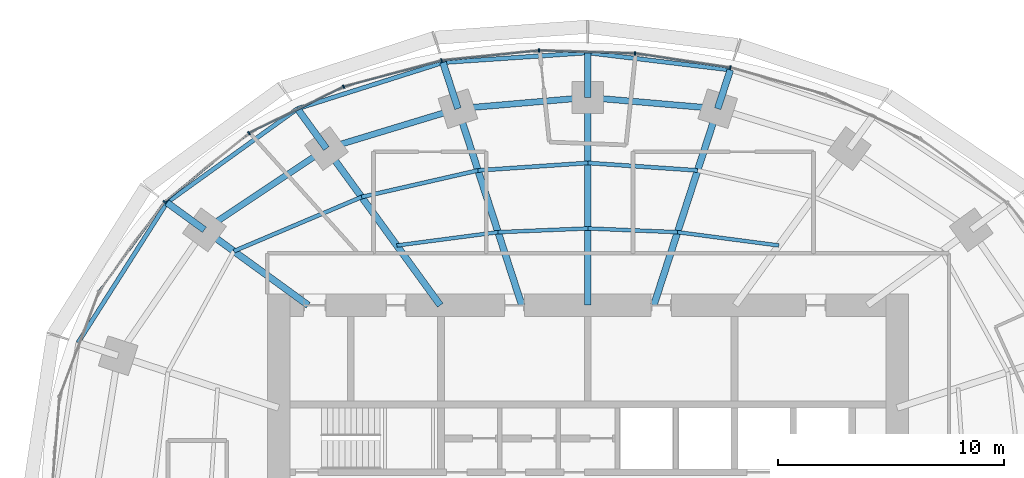
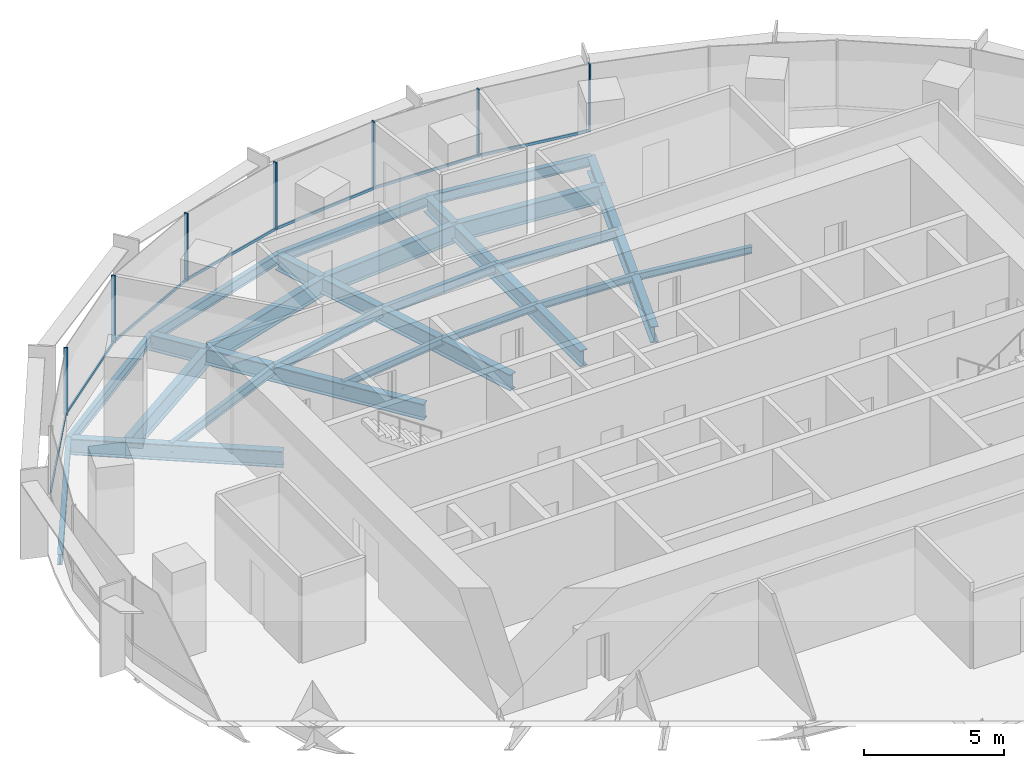
# One storey, part 7 of 15: 27 beams, 14 members, 2 elements without a shape of their own.
"""IFC4 building model written with IfcOpenShell, lengths in metres."""

from ifc_helpers import new_model, si_unit, direction, frame, origin, origin_2d, place, context, subcontext, project, spatial, rectangle, i_section, extrude, material, material_profile, profile_set, type_object, element, aggregate, save


model = new_model("IFC4")

# Units and contexts
model_context = context("Model", 3, precision=1e-05, world=origin(), true_north=direction((0.0, 1.0)))
body_context = subcontext(model_context, "Body", "Model", "MODEL_VIEW")
ifc_project = project(units=[si_unit("LENGTHUNIT", "METRE"), si_unit("AREAUNIT", "SQUARE_METRE"), si_unit("VOLUMEUNIT", "CUBIC_METRE"), si_unit("PLANEANGLEUNIT", "RADIAN"), si_unit("MASSUNIT", "GRAM", prefix="KILO")], contexts=[model_context])

# Site, building, storey
site_placement = place(None, origin())
site = spatial("IfcSite", under=ifc_project, at=site_placement, CompositionType="ELEMENT")
building_placement = place(site_placement, origin())
building = spatial("IfcBuilding", under=site, at=building_placement, Name="Marramba Exchange Tower", CompositionType="ELEMENT")
storey_placement = place(building_placement, frame((0.0, 0.0, 207.199951171875)))
storey = spatial("IfcBuildingStorey", under=building, at=storey_placement, Name="L50", CompositionType="ELEMENT", Elevation=207.199951171875)

# Beams
ifc_material_1 = material(Name="Steel AS/NZS 3679.2 grade 300", Category="steel")
ifc_material_profile_1 = material_profile(ifc_material_1, i_section(OverallWidth=0.300048828125, OverallDepth=0.699951171875, WebThickness=0.010009765625, FlangeThickness=0.031982421875, at=origin_2d()), Name="700WB173")
ifc_profile_set_1 = profile_set([ifc_material_profile_1], Name="Steel AS/NZS 3679.2 grade 300")
beam_type_1 = type_object("IfcBeamType", Name="Cantilever girder 700WB173", PredefinedType="BEAM", material=ifc_profile_set_1)
beam_1_placement = place(storey_placement, frame((5.75390625, 17.70849609375, -0.510009765625), z_axis=(0.308960771946, 0.951074782232, 0.0), x_axis=(-0.951074782232, 0.308960771946, 0.0)))
element("IfcBeam", 1, at=beam_1_placement, inside=storey, type_object=beam_type_1, Name="Cantilever girder L50 TC05", PredefinedType="BEAM", context=body_context, shape_type="SweptSolid", body=[
    extrude(i_section(OverallWidth=0.300048828125, OverallDepth=0.699951171875, WebThickness=0.010009765625, FlangeThickness=0.031982421875, at=origin_2d()), origin(), (0.0, 0.0, 1.0), 1.806396484375),
])
beam_2_placement = place(storey_placement, frame((0.0, 18.2041015625, -0.510009765625), z_axis=(0.0, 1.0, 0.0), x_axis=(-1.0, 0.0, 0.0)))
element("IfcBeam", 2, at=beam_2_placement, inside=storey, type_object=beam_type_1, Name="Cantilever girder L50 TC06", PredefinedType="BEAM", context=body_context, shape_type="SweptSolid", body=[
    extrude(i_section(OverallWidth=0.300048828125, OverallDepth=0.699951171875, WebThickness=0.010009765625, FlangeThickness=0.031982421875, at=origin_2d()), origin(), (0.0, 0.0, 1.0), 1.982177734375),
])
beam_3_placement = place(storey_placement, frame((-5.75390625, 17.70849609375, -0.510009765625), z_axis=(-0.308998798068, 0.951062428441, 0.0), x_axis=(-0.951062428441, -0.308998798068, 0.0)))
element("IfcBeam", 3, at=beam_3_placement, inside=storey, type_object=beam_type_1, Name="Cantilever girder L50 TC07", PredefinedType="BEAM", context=body_context, shape_type="SweptSolid", body=[
    extrude(i_section(OverallWidth=0.300048828125, OverallDepth=0.699951171875, WebThickness=0.010009765625, FlangeThickness=0.031982421875, at=origin_2d()), origin(), (0.0, 0.0, 1.0), 2.150634765625),
])
beam_4_placement = place(storey_placement, frame((-11.581298828125, 15.9404296875, -0.510009765625), z_axis=(-0.587832433352, 0.808982713226, 0.0), x_axis=(-0.808982713226, -0.587832433352, 0.0)))
element("IfcBeam", 4, at=beam_4_placement, inside=storey, type_object=beam_type_1, Name="Cantilever girder L50 TC08", PredefinedType="BEAM", context=body_context, shape_type="SweptSolid", body=[
    extrude(i_section(OverallWidth=0.300048828125, OverallDepth=0.699951171875, WebThickness=0.010009765625, FlangeThickness=0.031982421875, at=origin_2d()), origin(), (0.0, 0.0, 1.0), 2.1826171875),
])
beam_5_placement = place(storey_placement, frame((-16.98583984375, 12.3408203125, -0.510009765625), z_axis=(-0.808962446125, 0.587860324192, 0.0), x_axis=(-0.587860324192, -0.808962446125, 0.0)))
element("IfcBeam", 5, at=beam_5_placement, inside=storey, type_object=beam_type_1, Name="Cantilever girder L50 TC09", PredefinedType="BEAM", context=body_context, shape_type="SweptSolid", body=[
    extrude(i_section(OverallWidth=0.300048828125, OverallDepth=0.699951171875, WebThickness=0.010009765625, FlangeThickness=0.031982421875, at=origin_2d()), origin(), (0.0, 0.0, 1.0), 2.051513671875),
])
ifc_material_2 = material(Name="Steel AS/NZS 3679.1 grade 300", Category="steel")
ifc_material_profile_2 = material_profile(ifc_material_2, i_section(OverallWidth=0.166015625, OverallDepth=0.306884765625, WebThickness=0.006591796875, FlangeThickness=0.01171875, FilletRadius=0.011474609375, at=origin_2d()), Name="310UB46.2")
ifc_profile_set_2 = profile_set([ifc_material_profile_2], Name="Steel AS/NZS 3679.1 grade 300")
beam_type_2 = type_object("IfcBeamType", Name="Floor joist 310UB46.2", PredefinedType="JOIST", material=ifc_profile_set_2)
beam_6_placement = place(storey_placement, frame((8.4619140625, 11.646728515625, -0.3134765625), z_axis=(-0.991480538255, 0.130254912618, 0.0), x_axis=(-0.130254912618, -0.991480538255, 0.0)))
element("IfcBeam", 6, at=beam_6_placement, inside=storey, type_object=beam_type_2, Name="Joist L50 bay 04 row 1", PredefinedType="JOIST", context=body_context, shape_type="SweptSolid", body=[
    extrude(i_section(OverallWidth=0.166015625, OverallDepth=0.306884765625, WebThickness=0.006591796875, FlangeThickness=0.01171875, FilletRadius=0.011474609375, at=origin_2d()), origin(), (0.0, 0.0, 1.0), 4.524658203125),
])
for number, where, z_axis, x_axis, name in (
    (7, (3.975830078125, 12.236083984375, -0.3134765625), (-0.999137002892, 0.041536122257, 0.0), (-0.041536122257, -0.999137002892, 0.0), "Joist L50 bay 05 row 1"),
    (8, (0.0, 12.4013671875, -0.3134765625), (-0.999137002892, -0.041536122257, 0.0), (0.041536122257, -0.999137002892, 0.0), "Joist L50 bay 06 row 1"),
):
    element("IfcBeam", number, at=place(storey_placement, frame(where, z_axis=z_axis, x_axis=x_axis)), inside=storey, type_object=beam_type_2, Name=name, PredefinedType="JOIST", context=body_context, shape_type="SweptSolid", body=[
        extrude(i_section(OverallWidth=0.166015625, OverallDepth=0.306884765625, WebThickness=0.006591796875, FlangeThickness=0.01171875, FilletRadius=0.011474609375, at=origin_2d()), origin(), (0.0, 0.0, 1.0), 3.979248046875),
    ])
beam_7_placement = place(storey_placement, frame((-3.975830078125, 12.236083984375, -0.3134765625), z_axis=(-0.991480538255, -0.130254912618, 0.0), x_axis=(0.130254912618, -0.991480538255, 0.0)))
element("IfcBeam", 9, at=beam_7_placement, inside=storey, type_object=beam_type_2, Name="Joist L50 bay 07 row 1", PredefinedType="JOIST", context=body_context, shape_type="SweptSolid", body=[
    extrude(i_section(OverallWidth=0.166015625, OverallDepth=0.306884765625, WebThickness=0.006591796875, FlangeThickness=0.01171875, FilletRadius=0.011474609375, at=origin_2d()), origin(), (0.0, 0.0, 1.0), 4.524658203125),
])
ifc_material_profile_3 = material_profile(ifc_material_2, i_section(OverallWidth=0.177978515625, OverallDepth=0.406005859375, WebThickness=0.0078125, FlangeThickness=0.0126953125, FilletRadius=0.011474609375, at=origin_2d()), Name="410UB59.7")
ifc_profile_set_3 = profile_set([ifc_material_profile_3], Name="Steel AS/NZS 3679.1 grade 300")
beam_type_3 = type_object("IfcBeamType", Name="Floor joist 410UB59.7", PredefinedType="JOIST", material=ifc_profile_set_3)
for number, where, z_axis, x_axis, name in (
    (10, (4.86474609375, 14.972412109375, -0.363037109375), (-0.997702652202, 0.067745241816, 0.0), (-0.067745241816, -0.997702652202, 0.0), "Joist L50 bay 05 row 2"),
    (11, (0.0, 15.302734375, -0.363037109375), (-0.997702652202, -0.067745241816, 0.0), (0.067745241816, -0.997702652202, 0.0), "Joist L50 bay 06 row 2"),
):
    element("IfcBeam", number, at=place(storey_placement, frame(where, z_axis=z_axis, x_axis=x_axis)), inside=storey, type_object=beam_type_3, Name=name, PredefinedType="JOIST", context=body_context, shape_type="SweptSolid", body=[
        extrude(i_section(OverallWidth=0.177978515625, OverallDepth=0.406005859375, WebThickness=0.0078125, FlangeThickness=0.0126953125, FilletRadius=0.011474609375, at=origin_2d()), origin(), (0.0, 0.0, 1.0), 4.8759765625),
    ])
beam_8_placement = place(storey_placement, frame((-4.86474609375, 14.972412109375, -0.363037109375), z_axis=(-0.974859652292, -0.222819788916, 0.0), x_axis=(0.222819788916, -0.974859652292, 0.0)))
element("IfcBeam", 12, at=beam_8_placement, inside=storey, type_object=beam_type_3, Name="Joist L50 bay 07 row 2", PredefinedType="JOIST", context=body_context, shape_type="SweptSolid", body=[
    extrude(i_section(OverallWidth=0.177978515625, OverallDepth=0.406005859375, WebThickness=0.0078125, FlangeThickness=0.0126953125, FilletRadius=0.011474609375, at=origin_2d()), origin(), (0.0, 0.0, 1.0), 5.2900390625),
])
beam_9_placement = place(storey_placement, frame((-10.021728515625, 13.793701171875, -0.363037109375), z_axis=(-0.920674336375, -0.390331610738, 0.0), x_axis=(0.390331610738, -0.920674336375, 0.0)))
element("IfcBeam", 13, at=beam_9_placement, inside=storey, type_object=beam_type_3, Name="Joist L50 bay 08 row 2", PredefinedType="JOIST", context=body_context, shape_type="SweptSolid", body=[
    extrude(i_section(OverallWidth=0.177978515625, OverallDepth=0.406005859375, WebThickness=0.0078125, FlangeThickness=0.0126953125, FilletRadius=0.011474609375, at=origin_2d()), origin(), (0.0, 0.0, 1.0), 6.1484375),
])

# Curtain wall, members
ifc_material_3 = material(Name="Aluminium framing, bronze anodised", Category="aluminium")
curtain_wall_type = type_object("IfcCurtainWallType", Name="Office ribbon curtain wall", PredefinedType="USERDEFINED", material=ifc_material_3)
curtain_wall_1_placement = place(storey_placement, origin())
curtain_wall_1 = element("IfcCurtainWall", 14, at=curtain_wall_1_placement, inside=storey, type_object=curtain_wall_type, Name="Curtain wall CW4 L50 F06-F10", ObjectType="RIBBON CURTAIN WALL", PredefinedType="USERDEFINED")
ifc_material_4 = material(Name="Aluminium mullion, bronze anodised", Category="aluminium")
ifc_material_profile_4 = material_profile(ifc_material_4, rectangle(XDim=0.159912109375, YDim=0.06005859375, at=origin_2d()), Name="CW4 mullion 60x160")
ifc_profile_set_4 = profile_set([ifc_material_profile_4], Name="Aluminium mullion, bronze anodised")
member_type_1 = type_object("IfcMemberType", Name="Office ribbon curtain wall mullion", PredefinedType="MULLION", material=ifc_profile_set_4)
member_1_placement = place(storey_placement, frame((6.313232421875, 19.526123046875, 0.800048828125), z_axis=(0.0, 0.0, 1.0), x_axis=(-0.148794988635, -0.988868065698, 0.0)))
member_1 = element("IfcMember", 15, at=member_1_placement, type_object=member_type_1, Name="CW4 mullion 1", PredefinedType="MULLION", context=body_context, shape_type="SweptSolid", body=[
    extrude(rectangle(XDim=0.159912109375, YDim=0.06005859375, at=origin_2d()), origin(), (0.0, 0.0, 1.0), 2.93994140625),
])
member_2_placement = place(storey_placement, frame((2.088623046875, 20.158203125, 0.800048828125), z_axis=(0.0, 0.0, 1.0), x_axis=(-0.03039385249, -0.999538000143, 0.0)))
member_2 = element("IfcMember", 16, at=member_2_placement, type_object=member_type_1, Name="CW4 mullion 1", PredefinedType="MULLION", context=body_context, shape_type="SweptSolid", body=[
    extrude(rectangle(XDim=0.159912109375, YDim=0.06005859375, at=origin_2d()), origin(), (0.0, 0.0, 1.0), 2.93994140625),
])
member_3_placement = place(storey_placement, frame((-2.162109375, 20.28369140625, 0.800048828125), z_axis=(0.0, 0.0, 1.0), x_axis=(0.100862673507, -0.994900357369, 0.0)))
member_3 = element("IfcMember", 17, at=member_3_placement, type_object=member_type_1, Name="CW4 mullion 1", PredefinedType="MULLION", context=body_context, shape_type="SweptSolid", body=[
    extrude(rectangle(XDim=0.159912109375, YDim=0.06005859375, at=origin_2d()), origin(), (0.0, 0.0, 1.0), 2.93994140625),
])
member_4_placement = place(storey_placement, frame((-6.478271484375, 19.84130859375, 0.800048828125), z_axis=(0.0, 0.0, 1.0), x_axis=(0.257641223778, -0.966240653155, 0.0)))
member_4 = element("IfcMember", 18, at=member_4_placement, type_object=member_type_1, Name="CW4 mullion 1", PredefinedType="MULLION", context=body_context, shape_type="SweptSolid", body=[
    extrude(rectangle(XDim=0.159912109375, YDim=0.06005859375, at=origin_2d()), origin(), (0.0, 0.0, 1.0), 2.93994140625),
])

curtain_wall_2_placement = place(storey_placement, origin())
curtain_wall_2 = element("IfcCurtainWall", 19, at=curtain_wall_2_placement, inside=storey, type_object=curtain_wall_type, Name="Curtain wall CW4 L50 F11-F15", ObjectType="RIBBON CURTAIN WALL", PredefinedType="USERDEFINED")
member_5_placement = place(storey_placement, frame((-10.818359375, 18.677978515625, 0.800048828125), z_axis=(0.0, 0.0, 1.0), x_axis=(0.438972456661, -0.898500518805, 0.0)))
member_5 = element("IfcMember", 20, at=member_5_placement, type_object=member_type_1, Name="CW4 mullion 1", PredefinedType="MULLION", context=body_context, shape_type="SweptSolid", body=[
    extrude(rectangle(XDim=0.159912109375, YDim=0.06005859375, at=origin_2d()), origin(), (0.0, 0.0, 1.0), 2.93994140625),
])
member_6_placement = place(storey_placement, frame((-15.008056640625, 16.62353515625, 0.800048828125), z_axis=(0.0, 0.0, 1.0), x_axis=(0.630200830464, -0.776432169145, 0.0)))
member_6 = element("IfcMember", 21, at=member_6_placement, type_object=member_type_1, Name="CW4 mullion 1", PredefinedType="MULLION", context=body_context, shape_type="SweptSolid", body=[
    extrude(rectangle(XDim=0.159912109375, YDim=0.06005859375, at=origin_2d()), origin(), (0.0, 0.0, 1.0), 2.93994140625),
])
member_7_placement = place(storey_placement, frame((-18.744140625, 13.581298828125, 0.800048828125), z_axis=(0.0, 0.0, 1.0), x_axis=(0.805965197024, -0.591962922138, 0.0)))
member_7 = element("IfcMember", 22, at=member_7_placement, type_object=member_type_1, Name="CW4 mullion 1", PredefinedType="MULLION", context=body_context, shape_type="SweptSolid", body=[
    extrude(rectangle(XDim=0.159912109375, YDim=0.06005859375, at=origin_2d()), origin(), (0.0, 0.0, 1.0), 2.93994140625),
])

# Member
ifc_material_5 = material(Name="Aluminium transom, bronze anodised", Category="aluminium")
ifc_material_profile_5 = material_profile(ifc_material_5, rectangle(XDim=0.06005859375, YDim=0.1201171875, at=origin_2d()), Name="CW4 transom 60x120")
ifc_profile_set_5 = profile_set([ifc_material_profile_5], Name="Aluminium transom, bronze anodised")
member_type_2 = type_object("IfcMemberType", Name="Office ribbon curtain wall transom", PredefinedType="USERDEFINED", material=ifc_profile_set_5)
member_8_placement = place(storey_placement, frame((6.28369140625, 19.53076171875, 0.830078125), z_axis=(-0.988868222508, 0.148793946493, 0.0), x_axis=(-0.148793946493, -0.988868222508, 0.0)))
member_8 = element("IfcMember", 23, at=member_8_placement, type_object=member_type_2, Name="CW4 sill transom", ObjectType="TRANSOM", PredefinedType="USERDEFINED", context=body_context, shape_type="SweptSolid", body=[
    extrude(rectangle(XDim=0.06005859375, YDim=0.1201171875, at=origin_2d()), origin(), (0.0, 0.0, 1.0), 4.2119140625),
])

member_9_placement = place(storey_placement, frame((2.05859375, 20.1591796875, 0.830078125), z_axis=(-0.99953796835, 0.030394898024, 0.0), x_axis=(-0.030394898024, -0.99953796835, 0.0)))
member_9 = element("IfcMember", 24, at=member_9_placement, type_object=member_type_2, Name="CW4 sill transom", ObjectType="TRANSOM", PredefinedType="USERDEFINED", context=body_context, shape_type="SweptSolid", body=[
    extrude(rectangle(XDim=0.06005859375, YDim=0.1201171875, at=origin_2d()), origin(), (0.0, 0.0, 1.0), 4.19287109375),
])

member_10_placement = place(storey_placement, frame((-2.19189453125, 20.280517578125, 0.830078125), z_axis=(-0.99489954864, -0.100870650418, 0.0), x_axis=(0.100870650418, -0.99489954864, 0.0)))
member_10 = element("IfcMember", 25, at=member_10_placement, type_object=member_type_2, Name="CW4 sill transom", ObjectType="TRANSOM", PredefinedType="USERDEFINED", context=body_context, shape_type="SweptSolid", body=[
    extrude(rectangle(XDim=0.06005859375, YDim=0.1201171875, at=origin_2d()), origin(), (0.0, 0.0, 1.0), 4.279052734375),
])

member_11_placement = place(storey_placement, frame((-6.50732421875, 19.83349609375, 0.830078125), z_axis=(-0.966237681407, -0.25765236857, 0.0), x_axis=(0.25765236857, -0.966237681407, 0.0)))
member_11 = element("IfcMember", 26, at=member_11_placement, type_object=member_type_2, Name="CW4 sill transom", ObjectType="TRANSOM", PredefinedType="USERDEFINED", context=body_context, shape_type="SweptSolid", body=[
    extrude(rectangle(XDim=0.06005859375, YDim=0.1201171875, at=origin_2d()), origin(), (0.0, 0.0, 1.0), 4.43359375),
])

aggregate(curtain_wall_1, [member_1, member_8, member_2, member_9, member_3, member_10, member_4, member_11])

member_12_placement = place(storey_placement, frame((-10.84521484375, 18.664794921875, 0.830078125), z_axis=(-0.898501418486, -0.438970615165, 0.0), x_axis=(0.438970615165, -0.898501418486, 0.0)))
member_12 = element("IfcMember", 27, at=member_12_placement, type_object=member_type_2, Name="CW4 sill transom", ObjectType="TRANSOM", PredefinedType="USERDEFINED", context=body_context, shape_type="SweptSolid", body=[
    extrude(rectangle(XDim=0.06005859375, YDim=0.1201171875, at=origin_2d()), origin(), (0.0, 0.0, 1.0), 4.607177734375),
])

member_13_placement = place(storey_placement, frame((-15.031494140625, 16.6044921875, 0.830078125), z_axis=(-0.776424623019, -0.630210127473, 0.0), x_axis=(0.630210127473, -0.776424623019, 0.0)))
member_13 = element("IfcMember", 28, at=member_13_placement, type_object=member_type_2, Name="CW4 sill transom", ObjectType="TRANSOM", PredefinedType="USERDEFINED", context=body_context, shape_type="SweptSolid", body=[
    extrude(rectangle(XDim=0.06005859375, YDim=0.1201171875, at=origin_2d()), origin(), (0.0, 0.0, 1.0), 4.7587890625),
])

member_14_placement = place(storey_placement, frame((-18.761962890625, 13.55712890625, 0.830078125), z_axis=(-0.591957380483, -0.805969267213, 0.0), x_axis=(0.805969267213, -0.591957380483, 0.0)))
member_14 = element("IfcMember", 29, at=member_14_placement, type_object=member_type_2, Name="CW4 sill transom", ObjectType="TRANSOM", PredefinedType="USERDEFINED", context=body_context, shape_type="SweptSolid", body=[
    extrude(rectangle(XDim=0.06005859375, YDim=0.1201171875, at=origin_2d()), origin(), (0.0, 0.0, 1.0), 4.865478515625),
])

aggregate(curtain_wall_2, [member_5, member_12, member_6, member_13, member_7, member_14])

# Beams
ifc_material_profile_6 = material_profile(ifc_material_1, i_section(OverallWidth=0.300048828125, OverallDepth=0.699951171875, WebThickness=0.010009765625, FlangeThickness=0.031982421875, at=origin_2d()), Name="700WB173")
ifc_profile_set_6 = profile_set([ifc_material_profile_6], Name="Steel AS/NZS 3679.2 grade 300")
beam_type_4 = type_object("IfcBeamType", Name="Radial girder 700WB173", PredefinedType="BEAM", material=ifc_profile_set_6)
beam_10_placement = place(storey_placement, frame((2.92431640625, 9.0, -0.510009765625), z_axis=(0.309019754162, 0.951055619582, 0.0), x_axis=(-0.951055619582, 0.309019754162, 0.0)))
element("IfcBeam", 30, at=beam_10_placement, inside=storey, type_object=beam_type_4, Name="Radial girder L50 TC05", PredefinedType="BEAM", context=body_context, shape_type="SweptSolid", body=[
    extrude(i_section(OverallWidth=0.300048828125, OverallDepth=0.699951171875, WebThickness=0.010009765625, FlangeThickness=0.031982421875, at=origin_2d()), origin(), (0.0, 0.0, 1.0), 9.15673828125),
])
beam_11_placement = place(storey_placement, frame((0.0, 9.0, -0.510009765625), z_axis=(0.0, 1.0, 0.0), x_axis=(-1.0, 0.0, 0.0)))
element("IfcBeam", 31, at=beam_11_placement, inside=storey, type_object=beam_type_4, Name="Radial girder L50 TC06", PredefinedType="BEAM", context=body_context, shape_type="SweptSolid", body=[
    extrude(i_section(OverallWidth=0.300048828125, OverallDepth=0.699951171875, WebThickness=0.010009765625, FlangeThickness=0.031982421875, at=origin_2d()), origin(), (0.0, 0.0, 1.0), 9.2041015625),
])
beam_12_placement = place(storey_placement, frame((-2.92431640625, 9.0, -0.510009765625), z_axis=(-0.309019754162, 0.951055619582, 0.0), x_axis=(-0.951055619582, -0.309019754162, 0.0)))
element("IfcBeam", 32, at=beam_12_placement, inside=storey, type_object=beam_type_4, Name="Radial girder L50 TC07", PredefinedType="BEAM", context=body_context, shape_type="SweptSolid", body=[
    extrude(i_section(OverallWidth=0.300048828125, OverallDepth=0.699951171875, WebThickness=0.010009765625, FlangeThickness=0.031982421875, at=origin_2d()), origin(), (0.0, 0.0, 1.0), 9.15673828125),
])
beam_13_placement = place(storey_placement, frame((-6.538818359375, 9.0, -0.510009765625), z_axis=(-0.587782439969, 0.80901903764, 0.0), x_axis=(-0.80901903764, -0.587782439969, 0.0)))
element("IfcBeam", 33, at=beam_13_placement, inside=storey, type_object=beam_type_4, Name="Radial girder L50 TC08", PredefinedType="BEAM", context=body_context, shape_type="SweptSolid", body=[
    extrude(i_section(OverallWidth=0.300048828125, OverallDepth=0.699951171875, WebThickness=0.010009765625, FlangeThickness=0.031982421875, at=origin_2d()), origin(), (0.0, 0.0, 1.0), 8.578857421875),
])
beam_14_placement = place(storey_placement, frame((-12.387451171875, 9.0, -0.510009765625), z_axis=(-0.809025746925, 0.587773205252, 0.0), x_axis=(-0.587773205252, -0.809025746925, 0.0)))
element("IfcBeam", 34, at=beam_14_placement, inside=storey, type_object=beam_type_4, Name="Radial girder L50 TC09", PredefinedType="BEAM", context=body_context, shape_type="SweptSolid", body=[
    extrude(i_section(OverallWidth=0.300048828125, OverallDepth=0.699951171875, WebThickness=0.010009765625, FlangeThickness=0.031982421875, at=origin_2d()), origin(), (0.0, 0.0, 1.0), 5.683837890625),
])
ifc_material_profile_7 = material_profile(ifc_material_1, i_section(OverallWidth=0.27490234375, OverallDepth=0.800048828125, WebThickness=0.010009765625, FlangeThickness=0.02490234375, at=origin_2d()), Name="800WB168")
ifc_profile_set_7 = profile_set([ifc_material_profile_7], Name="Steel AS/NZS 3679.2 grade 300")
beam_type_5 = type_object("IfcBeamType", Name="Ring beam 800WB168", PredefinedType="SPANDREL", material=ifc_profile_set_7)
for number, where, z_axis, x_axis, name in (
    (35, (5.75390625, 17.70849609375, -0.56005859375), (-0.996311003275, 0.085815993578, 0.0), (-0.085815993578, -0.996311003275, 0.0), "Ring beam L50 TC05-TC06"),
    (36, (0.0, 18.2041015625, -0.56005859375), (-0.996311003275, -0.085815993578, 0.0), (0.085815993578, -0.996311003275, 0.0), "Ring beam L50 TC06-TC07"),
):
    element("IfcBeam", number, at=place(storey_placement, frame(where, z_axis=z_axis, x_axis=x_axis)), inside=storey, type_object=beam_type_5, Name=name, PredefinedType="SPANDREL", context=body_context, shape_type="SweptSolid", body=[
        extrude(i_section(OverallWidth=0.27490234375, OverallDepth=0.800048828125, WebThickness=0.010009765625, FlangeThickness=0.02490234375, at=origin_2d()), origin(), (0.0, 0.0, 1.0), 5.775146484375),
    ])
beam_15_placement = place(storey_placement, frame((-5.75390625, 17.70849609375, -0.56005859375), z_axis=(-0.956924542524, -0.290336735387, 0.0), x_axis=(0.290336735387, -0.956924542524, 0.0)))
element("IfcBeam", 37, at=beam_15_placement, inside=storey, type_object=beam_type_5, Name="Ring beam L50 TC07-TC08", PredefinedType="SPANDREL", context=body_context, shape_type="SweptSolid", body=[
    extrude(i_section(OverallWidth=0.27490234375, OverallDepth=0.800048828125, WebThickness=0.010009765625, FlangeThickness=0.02490234375, at=origin_2d()), origin(), (0.0, 0.0, 1.0), 6.089599609375),
])
beam_16_placement = place(storey_placement, frame((-11.581298828125, 15.9404296875, -0.56005859375), z_axis=(-0.832293151443, -0.554335737673, 0.0), x_axis=(0.554335737673, -0.832293151443, 0.0)))
element("IfcBeam", 38, at=beam_16_placement, inside=storey, type_object=beam_type_5, Name="Ring beam L50 TC08-TC09", PredefinedType="SPANDREL", context=body_context, shape_type="SweptSolid", body=[
    extrude(i_section(OverallWidth=0.27490234375, OverallDepth=0.800048828125, WebThickness=0.010009765625, FlangeThickness=0.02490234375, at=origin_2d()), origin(), (0.0, 0.0, 1.0), 6.49365234375),
])
ifc_material_profile_8 = material_profile(ifc_material_2, i_section(OverallWidth=0.19091796875, OverallDepth=0.4599609375, WebThickness=0.010009765625, FlangeThickness=0.01611328125, FilletRadius=0.011474609375, at=origin_2d()), Name="460UB82.1")
ifc_profile_set_8 = profile_set([ifc_material_profile_8], Name="Steel AS/NZS 3679.1 grade 300")
beam_type_6 = type_object("IfcBeamType", Name="Slab edge beam 460UB82.1", PredefinedType="SPANDREL", material=ifc_profile_set_8)
beam_17_placement = place(storey_placement, frame((6.31201171875, 19.426513671875, -0.389892578125), z_axis=(-0.992833525914, 0.119505605811, 0.0), x_axis=(-0.119505605811, -0.992833525914, 0.0)))
element("IfcBeam", 39, at=beam_17_placement, inside=storey, type_object=beam_type_6, Name="Slab edge beam L50 TC05-TC06", PredefinedType="SPANDREL", context=body_context, shape_type="SweptSolid", body=[
    extrude(i_section(OverallWidth=0.19091796875, OverallDepth=0.4599609375, WebThickness=0.010009765625, FlangeThickness=0.01611328125, FilletRadius=0.011474609375, at=origin_2d()), origin(), (0.0, 0.0, 1.0), 6.357666015625),
])
beam_18_placement = place(storey_placement, frame((0.0, 20.186279296875, -0.389892578125), z_axis=(-0.997738737775, -0.06721168903, 0.0), x_axis=(0.06721168903, -0.997738737775, 0.0)))
element("IfcBeam", 40, at=beam_18_placement, inside=storey, type_object=beam_type_6, Name="Slab edge beam L50 TC06-TC07", PredefinedType="SPANDREL", context=body_context, shape_type="SweptSolid", body=[
    extrude(i_section(OverallWidth=0.19091796875, OverallDepth=0.4599609375, WebThickness=0.010009765625, FlangeThickness=0.01611328125, FilletRadius=0.011474609375, at=origin_2d()), origin(), (0.0, 0.0, 1.0), 6.43310546875),
])
beam_19_placement = place(storey_placement, frame((-6.41845703125, 19.75390625, -0.389892578125), z_axis=(-0.953057484675, -0.302789416766, 0.0), x_axis=(0.302789416766, -0.953057484675, 0.0)))
element("IfcBeam", 41, at=beam_19_placement, inside=storey, type_object=beam_type_6, Name="Slab edge beam L50 TC07-TC08", PredefinedType="SPANDREL", context=body_context, shape_type="SweptSolid", body=[
    extrude(i_section(OverallWidth=0.19091796875, OverallDepth=0.4599609375, WebThickness=0.010009765625, FlangeThickness=0.01611328125, FilletRadius=0.011474609375, at=origin_2d()), origin(), (0.0, 0.0, 1.0), 6.76318359375),
])
beam_20_placement = place(storey_placement, frame((-12.8642578125, 17.7060546875, -0.389892578125), z_axis=(-0.811755352788, -0.583997643163, 0.0), x_axis=(0.583997643163, -0.811755352788, 0.0)))
element("IfcBeam", 42, at=beam_20_placement, inside=storey, type_object=beam_type_6, Name="Slab edge beam L50 TC08-TC09", PredefinedType="SPANDREL", context=body_context, shape_type="SweptSolid", body=[
    extrude(i_section(OverallWidth=0.19091796875, OverallDepth=0.4599609375, WebThickness=0.010009765625, FlangeThickness=0.01611328125, FilletRadius=0.011474609375, at=origin_2d()), origin(), (0.0, 0.0, 1.0), 7.121826171875),
])
beam_21_placement = place(storey_placement, frame((-18.6455078125, 13.546875, -0.389892578125), z_axis=(-0.535794396634, -0.844348485245, 0.0), x_axis=(0.844348485245, -0.535794396634, 0.0)))
element("IfcBeam", 43, at=beam_21_placement, inside=storey, type_object=beam_type_6, Name="Slab edge beam L50 TC09-TC10", PredefinedType="SPANDREL", context=body_context, shape_type="SweptSolid", body=[
    extrude(i_section(OverallWidth=0.19091796875, OverallDepth=0.4599609375, WebThickness=0.010009765625, FlangeThickness=0.01611328125, FilletRadius=0.011474609375, at=origin_2d()), origin(), (0.0, 0.0, 1.0), 7.35302734375),
])

save(model, "model.ifc")
